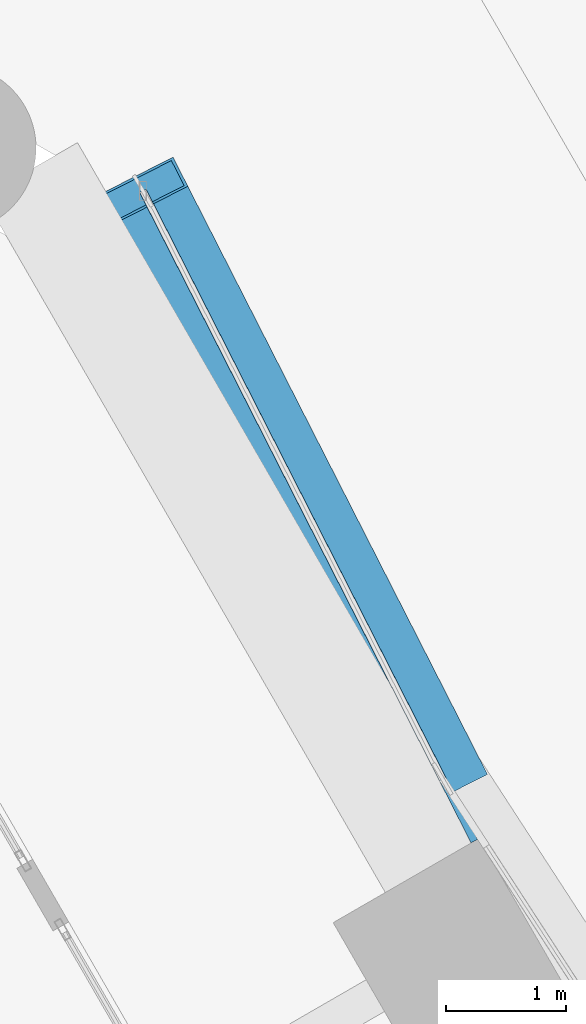
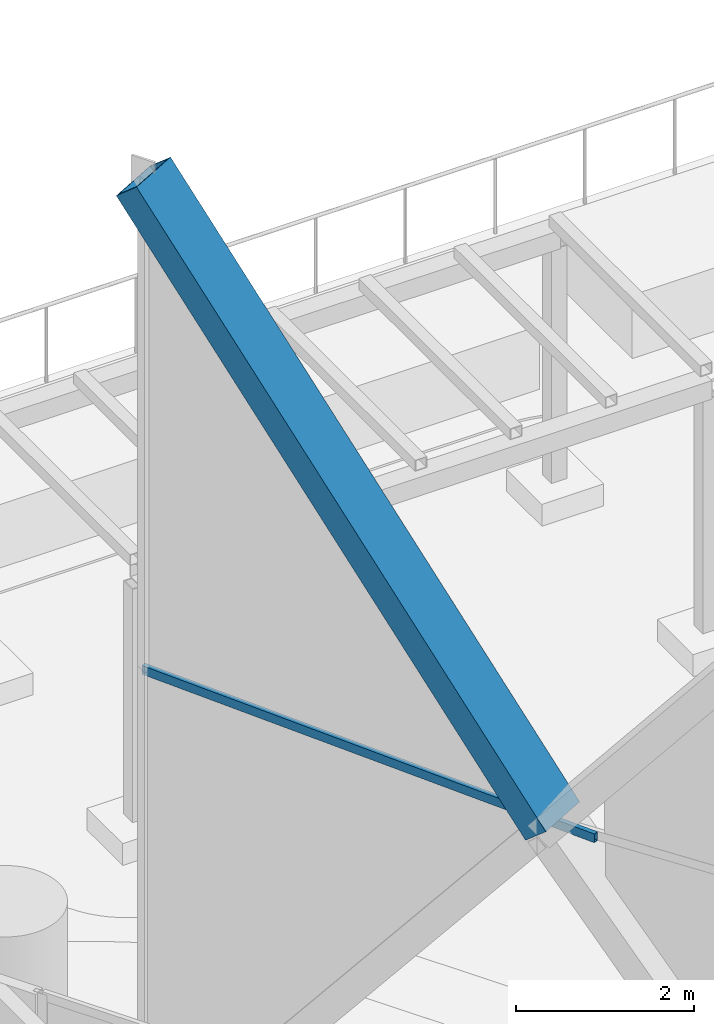
# One storey, part 47 of 71: 2 members, 1 element without a shape of its own.
"""IFC4 building model written with IfcOpenShell, lengths in metres."""

from ifc_helpers import new_model, si_unit, direction, frame, origin, origin_2d, place, context, subcontext, project, spatial, hollow_rectangle, extrude, material, material_profile, profile_set, type_object, element, aggregate, save


model = new_model("IFC4")

# Units and contexts
model_context = context("Model", 3, precision=1e-05, world=origin(), true_north=direction((0.0, 1.0)))
body_context = subcontext(model_context, "Body", "Model", "MODEL_VIEW")
ifc_project = project(units=[si_unit("LENGTHUNIT", "METRE"), si_unit("AREAUNIT", "SQUARE_METRE"), si_unit("VOLUMEUNIT", "CUBIC_METRE"), si_unit("PLANEANGLEUNIT", "RADIAN"), si_unit("MASSUNIT", "GRAM", prefix="KILO")], contexts=[model_context])

# Site, building, storey
site_placement = place(None, origin())
site = spatial("IfcSite", under=ifc_project, at=site_placement, CompositionType="ELEMENT")
building_placement = place(site_placement, origin())
building = spatial("IfcBuilding", under=site, at=building_placement, Name="Ostrander Bayou Hotel Tower", CompositionType="ELEMENT")
storey_placement = place(building_placement, frame((0.0, 0.0, 10.0)))
storey = spatial("IfcBuildingStorey", under=building, at=storey_placement, Name="L02", CompositionType="ELEMENT", Elevation=10.0)

# Curtain wall, member
ifc_material_1 = material(Name="Aluminium and clear glass", Category="aluminium")
curtain_wall_type = type_object("IfcCurtainWallType", Name="CW-LAT lattice glazing", PredefinedType="NOTDEFINED", material=ifc_material_1)
curtain_wall_placement = place(storey_placement, origin())
curtain_wall = element("IfcCurtainWall", 1, at=curtain_wall_placement, inside=storey, type_object=curtain_wall_type, Name="CW-LAT L02 NE 2", PredefinedType="NOTDEFINED")
ifc_material_2 = material(Name="Aluminium", Category="aluminium")
ifc_material_profile_1 = material_profile(ifc_material_2, hollow_rectangle(XDim=0.06005859375, YDim=0.1201171875, WallThickness=0.00390625, at=origin_2d()))
ifc_profile_set_1 = profile_set([ifc_material_profile_1], Name="Aluminium")
member_type_1 = type_object("IfcMemberType", Name="CW-LA transom 60 x 120 mm", PredefinedType="USERDEFINED", material=ifc_profile_set_1)
member_1_placement = place(storey_placement, frame((13.637939453125, 20.5185546875, 6.14990234375), z_axis=(0.45398127214, -0.891011225825, 0.0), x_axis=(0.891011225825, 0.45398127214, 0.0)))
member_1 = element("IfcMember", 2, at=member_1_placement, type_object=member_type_1, Name="CW-LAT transom 10", ObjectType="TRANSOM", PredefinedType="USERDEFINED", context=body_context, shape_type="SweptSolid", body=[
    extrude(hollow_rectangle(XDim=0.06005859375, YDim=0.1201171875, WallThickness=0.00390625, at=origin_2d()), origin(), (0.0, 0.0, 1.0), 6.0634765625),
])
aggregate(curtain_wall, [member_1])

# Member
ifc_material_3 = material(Name="Steel ASTM A572 Gr 50", Category="steel")
ifc_material_profile_2 = material_profile(ifc_material_3, hollow_rectangle(XDim=0.699951171875, YDim=0.35009765625, WallThickness=0.02490234375, at=origin_2d()))
ifc_profile_set_2 = profile_set([ifc_material_profile_2], Name="Steel ASTM A572 Gr 50")
member_type_2 = type_object("IfcMemberType", Name="LT1 lattice member box 700 x 350 x 25 mm", PredefinedType="BRACE", material=ifc_profile_set_2)
member_2_placement = place(storey_placement, frame((16.126953125, 15.63330078125, 6.14990234375), z_axis=(-0.286219486036, 0.561770663617, 0.776203663553), x_axis=(-0.891017407703, -0.453969139007, 0.0)))
element("IfcMember", 3, at=member_2_placement, inside=storey, type_object=member_type_2, Name="LT1 L02 NE 8", PredefinedType="BRACE", context=body_context, shape_type="SweptSolid", body=[
    extrude(hollow_rectangle(XDim=0.699951171875, YDim=0.35009765625, WallThickness=0.02490234375, at=origin_2d()), origin(), (0.0, 0.0, 1.0), 8.6962890625),
])

save(model, "model.ifc")
